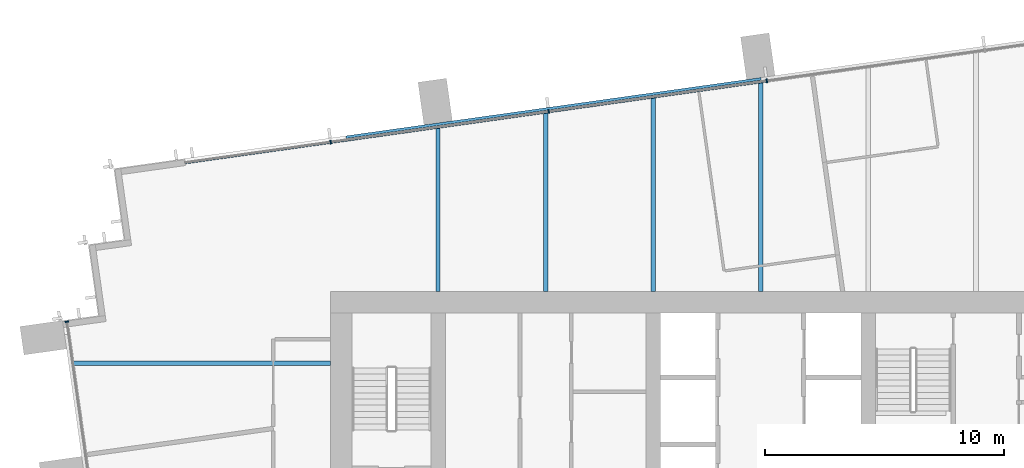
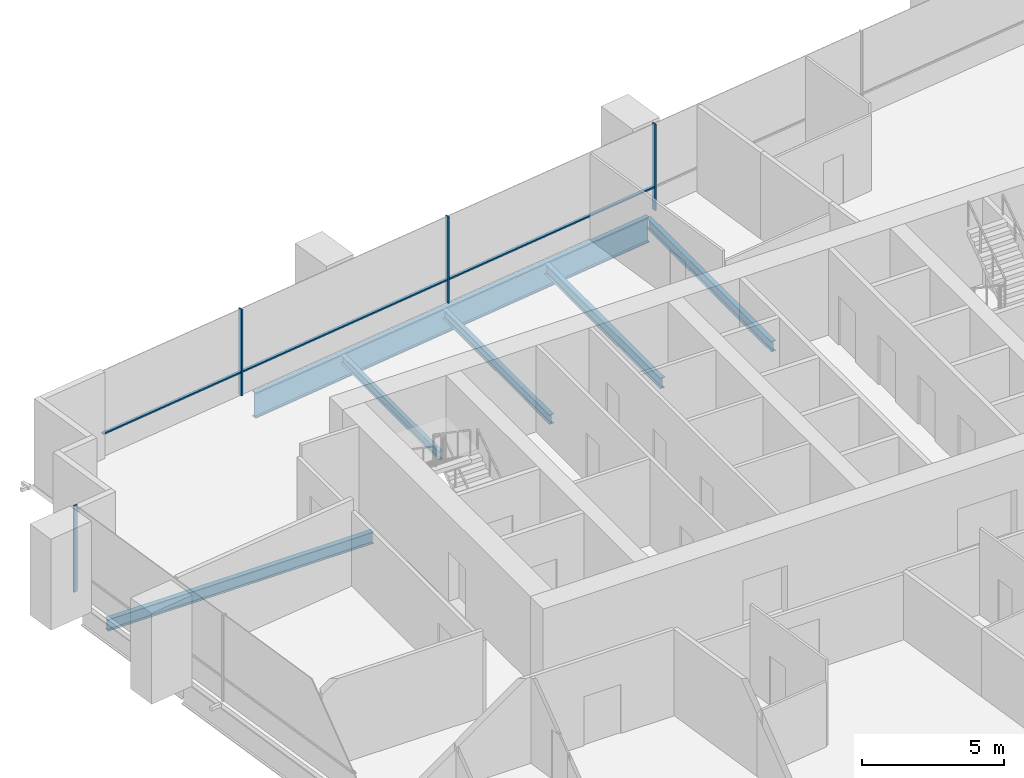
# One storey, part 6 of 14: 7 members, 6 beams, 2 elements without a shape of their own.
"""IFC4 building model written with IfcOpenShell, lengths in metres."""

from ifc_helpers import new_model, si_unit, direction, frame, origin, origin_2d, place, context, subcontext, project, spatial, rectangle, i_section, extrude, material, material_profile, profile_set, type_object, element, aggregate, save


model = new_model("IFC4")

# Units and contexts
model_context = context("Model", 3, precision=1e-05, world=origin(), true_north=direction((0.0, 1.0)))
body_context = subcontext(model_context, "Body", "Model", "MODEL_VIEW")
ifc_project = project(units=[si_unit("LENGTHUNIT", "METRE"), si_unit("AREAUNIT", "SQUARE_METRE"), si_unit("VOLUMEUNIT", "CUBIC_METRE"), si_unit("PLANEANGLEUNIT", "RADIAN"), si_unit("MASSUNIT", "GRAM", prefix="KILO")], contexts=[model_context])

# Site, building, storey
site_placement = place(None, origin())
site = spatial("IfcSite", under=ifc_project, at=site_placement, CompositionType="ELEMENT")
building_placement = place(site_placement, origin())
building = spatial("IfcBuilding", under=site, at=building_placement, Name="Rattan Terrace Tower", CompositionType="ELEMENT")
storey_placement = place(building_placement, frame((0.0, 0.0, 195.800048828125)))
storey = spatial("IfcBuildingStorey", under=building, at=storey_placement, Name="L45", CompositionType="ELEMENT", Elevation=195.800048828125)

# Curtain wall, members
ifc_material_1 = material(Name="Aluminium and glass", Category="aluminium")
curtain_wall_type = type_object("IfcCurtainWallType", Name="Facade Unitised Curtain Wall", PredefinedType="NOTDEFINED", material=ifc_material_1)
curtain_wall_1_placement = place(storey_placement, origin())
curtain_wall_1 = element("IfcCurtainWall", 1, at=curtain_wall_1_placement, inside=storey, type_object=curtain_wall_type, Name="Curtain wall L45-2", PredefinedType="NOTDEFINED")
ifc_material_2 = material(Name="Aluminium", Category="aluminium")
ifc_material_profile_1 = material_profile(ifc_material_2, rectangle(XDim=0.06005859375, YDim=0.159912109375, at=origin_2d()), Name="Aluminium 60x160")
ifc_profile_set_1 = profile_set([ifc_material_profile_1], Name="Aluminium")
member_type_1 = type_object("IfcMemberType", Name="Facade CW Mullion 60x160", PredefinedType="MULLION", material=ifc_profile_set_1)
member_1_placement = place(storey_placement, frame((0.25, 16.3125, 0.0), z_axis=(0.0, 0.0, 1.0), x_axis=(-0.990269702686, -0.139161474347, 0.0)))
member_1 = element("IfcMember", 2, at=member_1_placement, type_object=member_type_1, Name="Mullion cwl-L45-002.3", PredefinedType="MULLION", context=body_context, shape_type="SweptSolid", body=[
    extrude(rectangle(XDim=0.06005859375, YDim=0.159912109375, at=origin_2d()), origin(), (0.0, 0.0, 1.0), 3.699951171875),
])
member_2_placement = place(storey_placement, frame((-8.873291015625, 15.0302734375, 0.0), z_axis=(0.0, 0.0, 1.0), x_axis=(-0.990269702686, -0.139161474347, 0.0)))
member_2 = element("IfcMember", 3, at=member_2_placement, type_object=member_type_1, Name="Mullion cwl-L45-002.4", PredefinedType="MULLION", context=body_context, shape_type="SweptSolid", body=[
    extrude(rectangle(XDim=0.06005859375, YDim=0.159912109375, at=origin_2d()), origin(), (0.0, 0.0, 1.0), 3.699951171875),
])
member_3_placement = place(storey_placement, frame((-17.996826171875, 13.748291015625, 0.0), z_axis=(0.0, 0.0, 1.0), x_axis=(-0.990269702686, -0.139161474347, 0.0)))
member_3 = element("IfcMember", 4, at=member_3_placement, type_object=member_type_1, Name="Mullion cwl-L45-002.5", PredefinedType="MULLION", context=body_context, shape_type="SweptSolid", body=[
    extrude(rectangle(XDim=0.06005859375, YDim=0.159912109375, at=origin_2d()), origin(), (0.0, 0.0, 1.0), 3.699951171875),
])

# Curtain wall, member
curtain_wall_2_placement = place(storey_placement, origin())
curtain_wall_2 = element("IfcCurtainWall", 5, at=curtain_wall_2_placement, inside=storey, type_object=curtain_wall_type, Name="Curtain wall L45-3", PredefinedType="NOTDEFINED")
member_4_placement = place(storey_placement, frame((-29.037109375, 6.2333984375, 0.0), z_axis=(0.0, 0.0, 1.0), x_axis=(0.139190856006, -0.99026557327, 0.0)))
member_4 = element("IfcMember", 6, at=member_4_placement, type_object=member_type_1, Name="Mullion cwl-L45-003.1", PredefinedType="MULLION", context=body_context, shape_type="SweptSolid", body=[
    extrude(rectangle(XDim=0.06005859375, YDim=0.159912109375, at=origin_2d()), origin(), (0.0, 0.0, 1.0), 3.699951171875),
])
aggregate(curtain_wall_2, [member_4])

# Member
ifc_material_3 = material(Name="Aluminium", Category="aluminium")
ifc_material_profile_2 = material_profile(ifc_material_3, rectangle(XDim=0.1201171875, YDim=0.06005859375, at=origin_2d()), Name="Aluminium 120x60")
ifc_profile_set_2 = profile_set([ifc_material_profile_2], Name="Aluminium")
member_type_2 = type_object("IfcMemberType", Name="Facade CW Transom 120x60", PredefinedType="USERDEFINED", material=ifc_profile_set_2)
member_5_placement = place(storey_placement, frame((0.22021484375, 16.308349609375, 1.0), z_axis=(-0.990267035849, -0.139180450171, 0.0), x_axis=(0.139180450171, -0.990267035849, 0.0)))
member_5 = element("IfcMember", 7, at=member_5_placement, type_object=member_type_2, Name="Transom cwl-L45-002.3", ObjectType="TRANSOM", PredefinedType="USERDEFINED", context=body_context, shape_type="SweptSolid", body=[
    extrude(rectangle(XDim=0.1201171875, YDim=0.06005859375, at=origin_2d()), origin(), (0.0, 0.0, 1.0), 9.153076171875),
])

member_6_placement = place(storey_placement, frame((-8.903076171875, 15.026123046875, 1.0), z_axis=(-0.990270711765, -0.139154293575, 0.0), x_axis=(0.139154293575, -0.990270711765, 0.0)))
member_6 = element("IfcMember", 8, at=member_6_placement, type_object=member_type_2, Name="Transom cwl-L45-002.4", ObjectType="TRANSOM", PredefinedType="USERDEFINED", context=body_context, shape_type="SweptSolid", body=[
    extrude(rectangle(XDim=0.1201171875, YDim=0.06005859375, at=origin_2d()), origin(), (0.0, 0.0, 1.0), 9.153076171875),
])

member_7_placement = place(storey_placement, frame((-18.0263671875, 13.744140625, 1.0), z_axis=(-0.990267752185, -0.139175353357, 0.0), x_axis=(0.139175353357, -0.990267752185, 0.0)))
member_7 = element("IfcMember", 9, at=member_7_placement, type_object=member_type_2, Name="Transom cwl-L45-002.5", ObjectType="TRANSOM", PredefinedType="USERDEFINED", context=body_context, shape_type="SweptSolid", body=[
    extrude(rectangle(XDim=0.1201171875, YDim=0.06005859375, at=origin_2d()), origin(), (0.0, 0.0, 1.0), 6.11865234375),
])

aggregate(curtain_wall_1, [member_1, member_2, member_3, member_5, member_6, member_7])

# Beams
ifc_material_4 = material(Name="Steel S460", Category="steel")
ifc_material_profile_3 = material_profile(ifc_material_4, i_section(OverallWidth=0.179931640625, OverallDepth=1.10009765625, WebThickness=0.01611328125, FlangeThickness=0.050048828125, at=origin_2d()), Name="PG 1100x180-16-50")
ifc_profile_set_3 = profile_set([ifc_material_profile_3], Name="Steel S460")
beam_type_1 = type_object("IfcBeamType", Name="Frame edge girder PG 1100x180-16-50", PredefinedType="SPANDREL", material=ifc_profile_set_3)
beam_1_placement = place(storey_placement, frame((-17.347900390625, 13.9208984375, -0.75), z_axis=(0.990273554652, 0.139134061096, 0.0), x_axis=(-0.139134061096, 0.990273554652, 0.0)))
element("IfcBeam", 10, at=beam_1_placement, inside=storey, type_object=beam_type_1, Name="gdr-L45-006", PredefinedType="SPANDREL", context=body_context, shape_type="SweptSolid", body=[
    extrude(i_section(OverallWidth=0.179931640625, OverallDepth=1.10009765625, WebThickness=0.01611328125, FlangeThickness=0.050048828125, at=origin_2d()), origin(), (0.0, 0.0, 1.0), 17.53125),
])
ifc_material_5 = material(Name="Steel S355", Category="steel")
ifc_material_profile_4 = material_profile(ifc_material_5, i_section(OverallWidth=0.169921875, OverallDepth=0.360107421875, WebThickness=0.008056640625, FlangeThickness=0.0126953125, FilletRadius=0.01806640625, at=origin_2d()), Name="IPE 360")
ifc_profile_set_4 = profile_set([ifc_material_profile_4], Name="Steel S355")
beam_type_2 = type_object("IfcBeamType", Name="Frame floor beam IPE 360", PredefinedType="JOIST", material=ifc_profile_set_4)
beam_2_placement = place(storey_placement, frame((-13.5, 7.5, -0.380126953125), z_axis=(0.0, 1.0, 0.0), x_axis=(-1.0, 0.0, 0.0)))
element("IfcBeam", 11, at=beam_2_placement, inside=storey, type_object=beam_type_2, Name="bm-L45-016", PredefinedType="JOIST", context=body_context, shape_type="SweptSolid", body=[
    extrude(i_section(OverallWidth=0.169921875, OverallDepth=0.360107421875, WebThickness=0.008056640625, FlangeThickness=0.0126953125, FilletRadius=0.01806640625, at=origin_2d()), origin(), (0.0, 0.0, 1.0), 6.85888671875),
])
ifc_material_6 = material(Name="Steel S355", Category="steel")
ifc_material_profile_5 = material_profile(ifc_material_6, i_section(OverallWidth=0.179931640625, OverallDepth=0.39990234375, WebThickness=0.008544921875, FlangeThickness=0.013427734375, FilletRadius=0.02099609375, at=origin_2d()), Name="IPE 400")
ifc_profile_set_5 = profile_set([ifc_material_profile_5], Name="Steel S355")
beam_type_3 = type_object("IfcBeamType", Name="Frame floor beam IPE 400", PredefinedType="JOIST", material=ifc_profile_set_5)
beam_3_placement = place(storey_placement, frame((-9.0, 7.5, -0.400146484375), z_axis=(0.0, 1.0, 0.0), x_axis=(-1.0, 0.0, 0.0)))
element("IfcBeam", 12, at=beam_3_placement, inside=storey, type_object=beam_type_3, Name="bm-L45-017", PredefinedType="JOIST", context=body_context, shape_type="SweptSolid", body=[
    extrude(i_section(OverallWidth=0.179931640625, OverallDepth=0.39990234375, WebThickness=0.008544921875, FlangeThickness=0.013427734375, FilletRadius=0.02099609375, at=origin_2d()), origin(), (0.0, 0.0, 1.0), 7.489990234375),
])
ifc_material_7 = material(Name="Steel S355", Category="steel")
ifc_material_profile_6 = material_profile(ifc_material_7, i_section(OverallWidth=0.18994140625, OverallDepth=0.449951171875, WebThickness=0.009521484375, FlangeThickness=0.0146484375, FilletRadius=0.02099609375, at=origin_2d()), Name="IPE 450")
ifc_profile_set_6 = profile_set([ifc_material_profile_6], Name="Steel S355")
beam_type_4 = type_object("IfcBeamType", Name="Frame floor beam IPE 450", PredefinedType="JOIST", material=ifc_profile_set_6)
beam_4_placement = place(storey_placement, frame((-4.5, 7.5, -0.425048828125), z_axis=(0.0, 1.0, 0.0), x_axis=(-1.0, 0.0, 0.0)))
element("IfcBeam", 13, at=beam_4_placement, inside=storey, type_object=beam_type_4, Name="bm-L45-018", PredefinedType="JOIST", context=body_context, shape_type="SweptSolid", body=[
    extrude(i_section(OverallWidth=0.18994140625, OverallDepth=0.449951171875, WebThickness=0.009521484375, FlangeThickness=0.0146484375, FilletRadius=0.02099609375, at=origin_2d()), origin(), (0.0, 0.0, 1.0), 8.1220703125),
])
beam_5_placement = place(storey_placement, frame((0.0, 7.5, -0.425048828125), z_axis=(0.0, 1.0, 0.0), x_axis=(-1.0, 0.0, 0.0)))
element("IfcBeam", 14, at=beam_5_placement, inside=storey, type_object=beam_type_4, Name="bm-L45-019", PredefinedType="JOIST", context=body_context, shape_type="SweptSolid", body=[
    extrude(i_section(OverallWidth=0.18994140625, OverallDepth=0.449951171875, WebThickness=0.009521484375, FlangeThickness=0.0146484375, FilletRadius=0.02099609375, at=origin_2d()), origin(), (0.0, 0.0, 1.0), 8.75390625),
])
ifc_material_8 = material(Name="Steel S355", Category="steel")
ifc_material_profile_7 = material_profile(ifc_material_8, i_section(OverallWidth=0.199951171875, OverallDepth=0.5, WebThickness=0.01025390625, FlangeThickness=0.01611328125, FilletRadius=0.02099609375, at=origin_2d()), Name="IPE 500")
ifc_profile_set_7 = profile_set([ifc_material_profile_7], Name="Steel S355")
beam_type_5 = type_object("IfcBeamType", Name="Frame floor beam IPE 500", PredefinedType="JOIST", material=ifc_profile_set_7)
beam_6_placement = place(storey_placement, frame((-28.77001953125, 4.5, -0.449951171875), z_axis=(1.0, 0.0, 0.0), x_axis=(0.0, 1.0, 0.0)))
element("IfcBeam", 15, at=beam_6_placement, inside=storey, type_object=beam_type_5, Name="bm-L45-014", PredefinedType="JOIST", context=body_context, shape_type="SweptSolid", body=[
    extrude(i_section(OverallWidth=0.199951171875, OverallDepth=0.5, WebThickness=0.01025390625, FlangeThickness=0.01611328125, FilletRadius=0.02099609375, at=origin_2d()), origin(), (0.0, 0.0, 1.0), 10.77001953125),
])

save(model, "model.ifc")
